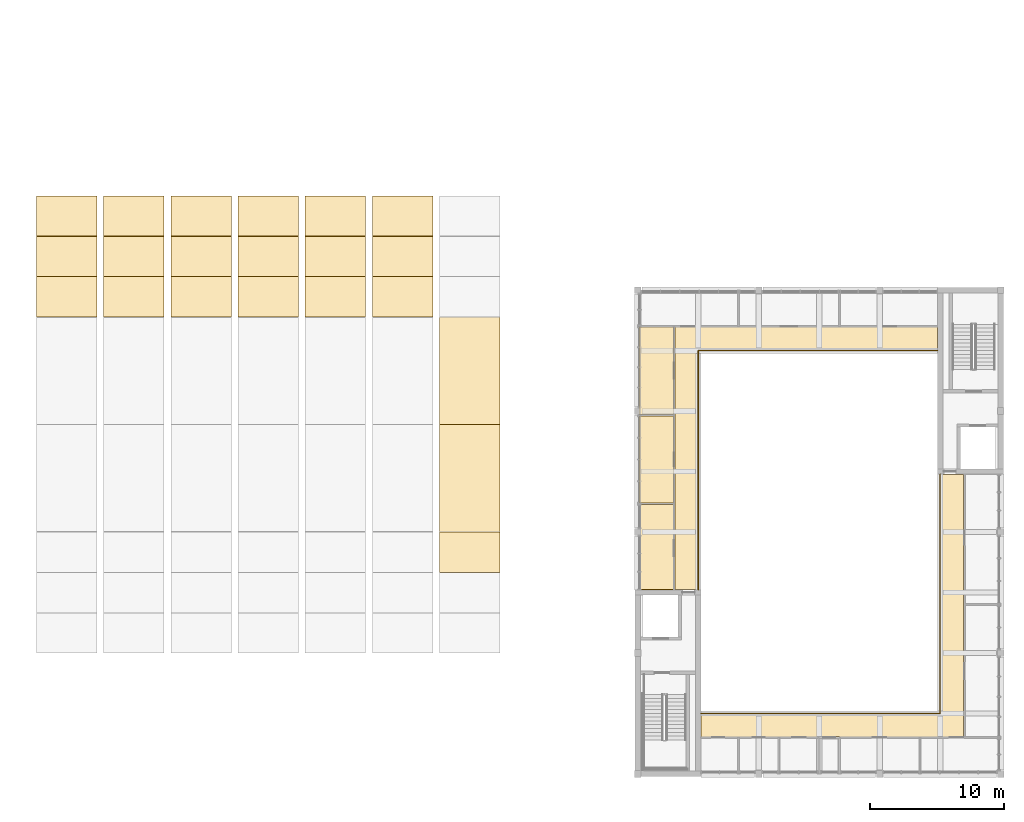
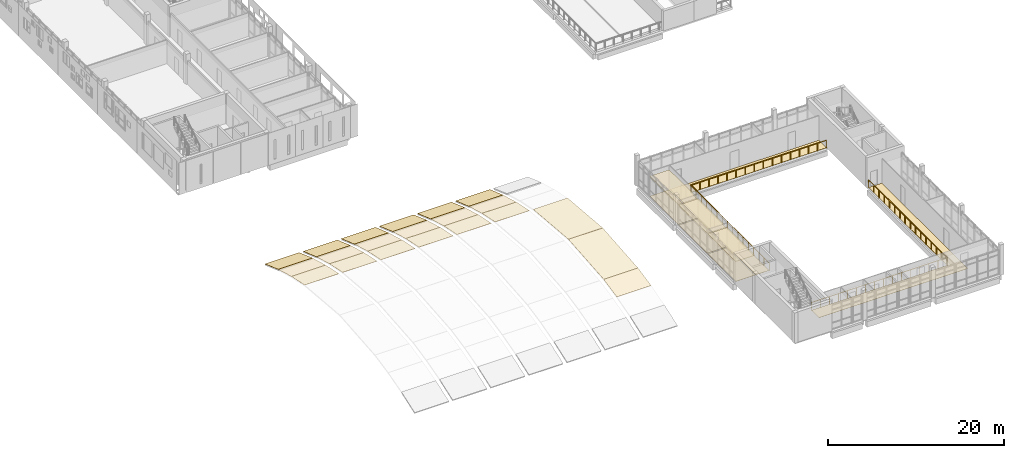
# One storey, part 59 of 74: 29 coverings, 2 railings.
"""IFC4 building model written with IfcOpenShell, lengths in metres."""

import ifcopenshell
import ifcopenshell.guid

model = None  # the IFC model being written
_history = None  # IfcOwnerHistory: only IFC2X3 demands one
_inside = {}  # id of a spatial element -> (the spatial element, [elements in it])
_under = {}  # id of a project, library or spatial element -> (it, [spatial elements below it])
_declared = {}  # id of a project -> (the project, [libraries it declares])
_typed = {}  # id of a type object -> (the type object, [elements of that type])
_made_of = {}  # id of a material, layer set ... -> (it, [elements and type objects made of it])


def new_model(schema):
    """Start an empty IFC model of exactly this schema.

    Asked for "IFC4X3", IfcOpenShell would pick the latest addendum, in which some entities
    have other attributes; the version numbers below select the first issue.
    IFC2X3 requires an IfcOwnerHistory on every rooted entity: one is made here for all.
    """
    global model, _history
    if schema == "IFC4X3":
        model = ifcopenshell.file(schema_version=(4, 3, 0, 0))
    else:
        model = ifcopenshell.file(schema=schema)
    _inside.clear()
    _under.clear()
    _declared.clear()
    _typed.clear()
    _made_of.clear()
    _history = None
    if model.schema == "IFC2X3":
        org = make("IfcOrganization", Name="unknown")
        user = make(
            "IfcPersonAndOrganization",
            ThePerson=make("IfcPerson", FamilyName="unknown"),
            TheOrganization=org,
        )
        app = make(
            "IfcApplication",
            ApplicationDeveloper=org,
            Version="unknown",
            ApplicationFullName="unknown",
            ApplicationIdentifier="unknown",
        )
        _history = make(
            "IfcOwnerHistory",
            OwningUser=user,
            OwningApplication=app,
            ChangeAction="ADDED",
            CreationDate=0,
        )
    return model


def make(cls, **values):
    """One entity of the class cls with the attributes given. An attribute that is None is left unset."""
    return model.create_entity(
        cls, **{name: value for name, value in values.items() if value is not None}
    )


def rooted(cls, **values):
    """An entity with a GlobalId (a new one), such as an element, a storey or a relation."""
    return make(cls, GlobalId=ifcopenshell.guid.new(), OwnerHistory=_history, **values)


def si_unit(unit_type, name, prefix=None):
    """IfcSIUnit, for example si_unit("LENGTHUNIT", "METRE", prefix="MILLI")."""
    return make("IfcSIUnit", UnitType=unit_type, Prefix=prefix, Name=name)


def assignment(units):
    """IfcUnitAssignment: the units of a project."""
    return None if units is None else make("IfcUnitAssignment", Units=units)


def point(xyz):
    """IfcCartesianPoint."""
    return None if xyz is None else make("IfcCartesianPoint", Coordinates=xyz)


def direction(xyz):
    """IfcDirection."""
    return None if xyz is None else make("IfcDirection", DirectionRatios=xyz)


def frame(location, z_axis=None, x_axis=None):
    """IfcAxis2Placement3D, a coordinate frame: its origin and axes. An axis left out is left unset."""
    return make(
        "IfcAxis2Placement3D",
        Location=point(location),
        Axis=direction(z_axis),
        RefDirection=direction(x_axis),
    )


def frame_2d(location, x_axis=None):
    """IfcAxis2Placement2D, a coordinate frame in the plane: its origin and x axis."""
    return make(
        "IfcAxis2Placement2D", Location=point(location), RefDirection=direction(x_axis)
    )


def origin():
    """The frame at (0, 0, 0) with its axes left unset."""
    return frame((0.0, 0.0, 0.0))


def origin_2d():
    """The frame at (0, 0) in the plane with its x axis left unset."""
    return frame_2d((0.0, 0.0))


def place(relative_to, where):
    """IfcLocalPlacement: puts the frame where relative to a parent placement (None: the world)."""
    return make(
        "IfcLocalPlacement", PlacementRelTo=relative_to, RelativePlacement=where
    )


def context(
    kind, dimensions, precision=None, world=None, true_north=None, identifier=None
):
    """IfcGeometricRepresentationContext, for example the 3D "Model" context."""
    return make(
        "IfcGeometricRepresentationContext",
        ContextIdentifier=identifier,
        ContextType=kind,
        CoordinateSpaceDimension=dimensions,
        Precision=precision,
        WorldCoordinateSystem=world,
        TrueNorth=true_north,
    )


def subcontext(parent, identifier, kind, view, scale=None):
    """IfcGeometricRepresentationSubContext, for example "Body" below "Model"."""
    return make(
        "IfcGeometricRepresentationSubContext",
        ContextIdentifier=identifier,
        ContextType=kind,
        ParentContext=parent,
        TargetScale=scale,
        TargetView=view,
    )


def project(units=None, contexts=None):
    """IfcProject with its units and contexts."""
    return rooted(
        "IfcProject",
        Name="project",
        RepresentationContexts=contexts,
        UnitsInContext=assignment(units),
    )


def spatial(cls, under=None, at=None, **own):
    """A site, building, storey or space (cls), placed at a placement, below another one or the project."""
    s = rooted(cls, ObjectPlacement=at, **own)
    if under is not None:
        _under.setdefault(under.id(), (under, []))[1].append(s)
    return s


def polyline(points):
    """IfcPolyline through the points."""
    return make("IfcPolyline", Points=[point(p) for p in points])


def profile(cls, at=None, kind="AREA", **sizes):
    """A parametric profile (cls). Its sizes go by their IFC names, for example OverallWidth=200.0."""
    return make(cls, ProfileType=kind, Position=at, **sizes)


def circle(**sizes):
    """IfcCircleProfileDef."""
    return profile("IfcCircleProfileDef", **sizes)


def outline(outer, holes=None, kind="AREA"):
    """IfcArbitraryClosedProfileDef: a profile drawn as a closed curve; with holes, ...WithVoids."""
    if holes is None:
        return make("IfcArbitraryClosedProfileDef", ProfileType=kind, OuterCurve=outer)
    return make(
        "IfcArbitraryProfileDefWithVoids",
        ProfileType=kind,
        OuterCurve=outer,
        InnerCurves=holes,
    )


def extrude(swept, where, along, depth):
    """IfcExtrudedAreaSolid: the profile swept, set in the frame where, extruded along a direction by depth."""
    return make(
        "IfcExtrudedAreaSolid",
        SweptArea=swept,
        Position=where,
        ExtrudedDirection=direction(along),
        Depth=depth,
    )


def shape(context_of_items, identifier, shape_type, items):
    """IfcShapeRepresentation: the items that make up one representation, for example the "Body"."""
    return make(
        "IfcShapeRepresentation",
        ContextOfItems=context_of_items,
        RepresentationIdentifier=identifier,
        RepresentationType=shape_type,
        Items=items,
    )


def material(Name=None, Category=None):
    """IfcMaterial."""
    return make("IfcMaterial", Name=Name, Category=Category)


def layer(
    of_material, thickness, ventilated=None, Name=None, Category=None, Priority=None
):
    """IfcMaterialLayer: one layer of a wall or slab, of a material (None: an air gap)."""
    return make(
        "IfcMaterialLayer",
        Material=of_material,
        LayerThickness=thickness,
        IsVentilated=ventilated,
        Name=Name,
        Category=Category,
        Priority=Priority,
    )


def layer_set(layers, Name=None):
    """IfcMaterialLayerSet."""
    return make("IfcMaterialLayerSet", MaterialLayers=layers, LayerSetName=Name)


def made_of(thing, what):
    """Note that an element or type object is made of a material, layer set ...; save() writes the relation."""
    if what is not None:
        _made_of.setdefault(what.id(), (what, []))[1].append(thing)
    return thing


def type_object(cls, material=None, **own):
    """A type object (cls), such as IfcWallType, which elements share."""
    return made_of(rooted(cls, **own), material)


def element(
    cls,
    number,
    at=None,
    inside=None,
    cuts=None,
    type_object=None,
    material=None,
    context=None,
    identifier="Body",
    shape_type=None,
    held_by="IfcProductDefinitionShape",
    body=None,
    shapes=None,
    **own,
):
    """One element of the class cls, such as IfcWall. Its Tag is "e" and its number.

    at: its placement. inside: the storey or other place that contains it. cuts: it is an
    opening in that element (IfcRelVoidsElement). A single representation is given by context,
    identifier, shape_type and body (its items); several are given by shapes. held_by: the class
    of the entity that holds the representations. save() writes the other relations.
    """
    e = rooted(cls, Tag="e%d" % number, ObjectPlacement=at, **own)
    if body is not None:
        shapes = [shape(context, identifier, shape_type, body)]
    if shapes is not None:
        e.Representation = make(held_by, Representations=shapes)
    if inside is not None:
        _inside.setdefault(inside.id(), (inside, []))[1].append(e)
    if cuts is not None:
        rooted(
            "IfcRelVoidsElement", RelatingBuildingElement=cuts, RelatedOpeningElement=e
        )
    if type_object is not None:
        _typed.setdefault(type_object.id(), (type_object, []))[1].append(e)
    return made_of(e, material)


def aggregate(whole, parts):
    """IfcRelAggregates: a whole, such as a stair, and the parts it consists of."""
    return rooted("IfcRelAggregates", RelatingObject=whole, RelatedObjects=parts)


def save(model, path):
    """Write the relations noted so far, then the file.

    IfcRelAggregates (storeys below a building ...), IfcRelContainedInSpatialStructure (elements
    in a storey), IfcRelDefinesByType, IfcRelAssociatesMaterial and IfcRelDeclares: one each for
    every whole, place, type object, material and project.
    """
    for whole, parts in _under.values():
        aggregate(whole, parts)
    for where, things in _inside.values():
        rooted(
            "IfcRelContainedInSpatialStructure",
            RelatedElements=things,
            RelatingStructure=where,
        )
    for kind, things in _typed.values():
        rooted("IfcRelDefinesByType", RelatedObjects=things, RelatingType=kind)
    for what, things in _made_of.values():
        rooted("IfcRelAssociatesMaterial", RelatedObjects=things, RelatingMaterial=what)
    for by, libraries in _declared.values():
        rooted("IfcRelDeclares", RelatingContext=by, RelatedDefinitions=libraries)
    model.write(path)


model = new_model("IFC4")

# Units and contexts
model_context = context("Model", 3, precision=1e-05, world=origin(), true_north=direction((0.0, 1.0)))
body_context = subcontext(model_context, "Body", "Model", "MODEL_VIEW")
ifc_project = project(units=[si_unit("LENGTHUNIT", "METRE"), si_unit("AREAUNIT", "SQUARE_METRE"), si_unit("VOLUMEUNIT", "CUBIC_METRE"), si_unit("PLANEANGLEUNIT", "RADIAN"), si_unit("MASSUNIT", "GRAM", prefix="KILO")], contexts=[model_context])

# Site, building, storey
site_placement = place(None, origin())
site = spatial("IfcSite", under=ifc_project, at=site_placement, CompositionType="ELEMENT")
building_placement = place(site_placement, origin())
building = spatial("IfcBuilding", under=site, at=building_placement, Name="Merrow Basin Faculty of Sciences", CompositionType="ELEMENT")
storey_placement = place(building_placement, frame((0.0, 0.0, 13.5)))
storey = spatial("IfcBuildingStorey", under=building, at=storey_placement, Name="L03", CompositionType="ELEMENT", Elevation=13.5)

# Coverings
ifc_material_1 = material(Name="Carpet tile floor")
ifc_layer_1 = layer(ifc_material_1, 0.02001953125)
ifc_layer_set_1 = layer_set([ifc_layer_1], Name="Carpet tile floor")
covering_type_1 = type_object("IfcCoveringType", Name="Carpet tile floor", PredefinedType="FLOORING", material=ifc_layer_set_1)
covering_1_placement = place(storey_placement, origin())
element("IfcCovering", 1, at=covering_1_placement, inside=storey, type_object=covering_type_1, Name="Floor finish L03-A-018", PredefinedType="FLOORING", context=body_context, shape_type="SweptSolid", body=[
    extrude(outline(polyline([(45.110107421875, 20.0400390625), (47.639892578125, 20.0400390625), (47.639892578125, 13.7099609375), (45.110107421875, 13.7099609375), (45.110107421875, 20.0400390625)])), origin(), (0.0, 0.0, 1.0), 0.02001953125),
])
covering_2_placement = place(storey_placement, origin())
element("IfcCovering", 2, at=covering_2_placement, inside=storey, type_object=covering_type_1, Name="Floor finish L03-A-019", PredefinedType="FLOORING", context=body_context, shape_type="SweptSolid", body=[
    extrude(outline(polyline([(47.639892578125, 26.639892578125), (47.639892578125, 20.159912109375), (45.110107421875, 20.159912109375), (45.110107421875, 26.639892578125), (47.639892578125, 26.639892578125)])), origin(), (0.0, 0.0, 1.0), 0.02001953125),
])
covering_3_placement = place(storey_placement, origin())
element("IfcCovering", 3, at=covering_3_placement, inside=storey, type_object=covering_type_1, Name="Floor finish L03-A-020", PredefinedType="FLOORING", context=body_context, shape_type="SweptSolid", body=[
    extrude(outline(polyline([(47.639892578125, 26.760009765625), (45.110107421875, 26.760009765625), (45.110107421875, 33.239990234375), (47.639892578125, 33.239990234375), (47.639892578125, 26.760009765625)])), origin(), (0.0, 0.0, 1.0), 0.02001953125),
])
covering_4_placement = place(storey_placement, origin())
element("IfcCovering", 4, at=covering_4_placement, inside=storey, type_object=covering_type_1, Name="Floor finish L03-A-021", PredefinedType="FLOORING", context=body_context, shape_type="SweptSolid", body=[
    extrude(outline(polyline([(49.489990234375, 31.510009765625), (49.489990234375, 13.7099609375), (47.760009765625, 13.7099609375), (47.760009765625, 33.239990234375), (67.2900390625, 33.239990234375), (67.2900390625, 31.510009765625), (49.489990234375, 31.510009765625)])), origin(), (0.0, 0.0, 1.0), 0.02001953125),
])
covering_5_placement = place(storey_placement, origin())
element("IfcCovering", 5, at=covering_5_placement, inside=storey, type_object=covering_type_1, Name="Floor finish L03-A-022", PredefinedType="FLOORING", context=body_context, shape_type="SweptSolid", body=[
    extrude(outline(polyline([(67.510009765625, 4.489990234375), (67.510009765625, 22.2900390625), (69.239990234375, 22.2900390625), (69.239990234375, 2.760009765625), (60.010009765625, 2.760009765625), (60.010009765625, 2.784912109375), (58.489990234375, 2.784912109375), (58.489990234375, 2.760009765625), (49.7099609375, 2.760009765625), (49.7099609375, 4.489990234375), (67.510009765625, 4.489990234375)])), origin(), (0.0, 0.0, 1.0), 0.02001953125),
])
ifc_material_2 = material(Name="Bituminous roofing membrane")
ifc_layer_2 = layer(ifc_material_2, 0.030029296875)
ifc_layer_set_2 = layer_set([ifc_layer_2], Name="Shell waterproofing 30")
covering_type_2 = type_object("IfcCoveringType", Name="Shell waterproofing 30", PredefinedType="ROOFING", material=ifc_layer_set_2)
covering_6_placement = place(storey_placement, frame((0.25, 34.006103515625, 2.930908203125), z_axis=(0.0, 0.204870252821, 0.978789139452), x_axis=(1.0, 0.0, 0.0)))
element("IfcCovering", 6, at=covering_6_placement, inside=storey, type_object=covering_type_2, Name="Shell waterproofing", PredefinedType="ROOFING", context=body_context, shape_type="SweptSolid", body=[
    extrude(outline(polyline([(0.0, 0.0), (4.5, 0.0), (4.5, 3.065011532187741), (0.0, 3.065011532187741), (0.0, 0.0)])), origin(), (0.0, 0.0, -1.0), 0.030029296875),
])
covering_7_placement = place(storey_placement, frame((0.25, 37.008056640625, 2.302001953125), z_axis=(0.0, 0.269365379975, 0.963038053283), x_axis=(1.0, 0.0, 0.0)))
element("IfcCovering", 7, at=covering_7_placement, inside=storey, type_object=covering_type_2, Name="Shell waterproofing", PredefinedType="ROOFING", context=body_context, shape_type="SweptSolid", body=[
    extrude(outline(polyline([(0.0, 0.0), (4.5, 0.0), (4.5, 3.115141701590427), (0.0, 3.115141701590427), (0.0, 0.0)])), origin(), (0.0, 0.0, -1.0), 0.030029296875),
])
covering_8_placement = place(storey_placement, frame((0.25, 40.010009765625, 1.4619140625), z_axis=(0.0, 0.334256016582, 0.942482315685), x_axis=(1.0, 0.0, 0.0)))
element("IfcCovering", 8, at=covering_8_placement, inside=storey, type_object=covering_type_2, Name="Shell waterproofing", PredefinedType="ROOFING", context=body_context, shape_type="SweptSolid", body=[
    extrude(outline(polyline([(0.0, 0.0), (4.5, 0.0), (4.5, 3.183083597509805), (0.0, 3.183083597509805), (0.0, 0.0)])), origin(), (0.0, 0.0, -1.0), 0.030029296875),
])
covering_9_placement = place(storey_placement, frame((5.25, 34.006103515625, 2.930908203125), z_axis=(0.0, 0.204870252821, 0.978789139452), x_axis=(1.0, 0.0, 0.0)))
element("IfcCovering", 9, at=covering_9_placement, inside=storey, type_object=covering_type_2, Name="Shell waterproofing", PredefinedType="ROOFING", context=body_context, shape_type="SweptSolid", body=[
    extrude(outline(polyline([(0.0, 0.0), (4.5, 0.0), (4.5, 3.065011532187741), (0.0, 3.065011532187741), (0.0, 0.0)])), origin(), (0.0, 0.0, -1.0), 0.030029296875),
])
covering_10_placement = place(storey_placement, frame((5.25, 37.008056640625, 2.302001953125), z_axis=(0.0, 0.269365379975, 0.963038053283), x_axis=(1.0, 0.0, 0.0)))
element("IfcCovering", 10, at=covering_10_placement, inside=storey, type_object=covering_type_2, Name="Shell waterproofing", PredefinedType="ROOFING", context=body_context, shape_type="SweptSolid", body=[
    extrude(outline(polyline([(0.0, 0.0), (4.5, 0.0), (4.5, 3.115141701590427), (0.0, 3.115141701590427), (0.0, 0.0)])), origin(), (0.0, 0.0, -1.0), 0.030029296875),
])
covering_11_placement = place(storey_placement, frame((5.25, 40.010009765625, 1.4619140625), z_axis=(0.0, 0.334256016582, 0.942482315685), x_axis=(1.0, 0.0, 0.0)))
element("IfcCovering", 11, at=covering_11_placement, inside=storey, type_object=covering_type_2, Name="Shell waterproofing", PredefinedType="ROOFING", context=body_context, shape_type="SweptSolid", body=[
    extrude(outline(polyline([(0.0, 0.0), (4.5, 0.0), (4.5, 3.183083597509805), (0.0, 3.183083597509805), (0.0, 0.0)])), origin(), (0.0, 0.0, -1.0), 0.030029296875),
])
covering_12_placement = place(storey_placement, frame((10.25, 34.006103515625, 2.930908203125), z_axis=(0.0, 0.204870252821, 0.978789139452), x_axis=(1.0, 0.0, 0.0)))
element("IfcCovering", 12, at=covering_12_placement, inside=storey, type_object=covering_type_2, Name="Shell waterproofing", PredefinedType="ROOFING", context=body_context, shape_type="SweptSolid", body=[
    extrude(outline(polyline([(0.0, 0.0), (4.5, 0.0), (4.5, 3.065011532187741), (0.0, 3.065011532187741), (0.0, 0.0)])), origin(), (0.0, 0.0, -1.0), 0.030029296875),
])
covering_13_placement = place(storey_placement, frame((10.25, 37.008056640625, 2.302001953125), z_axis=(0.0, 0.269365379975, 0.963038053283), x_axis=(1.0, 0.0, 0.0)))
element("IfcCovering", 13, at=covering_13_placement, inside=storey, type_object=covering_type_2, Name="Shell waterproofing", PredefinedType="ROOFING", context=body_context, shape_type="SweptSolid", body=[
    extrude(outline(polyline([(0.0, 0.0), (4.5, 0.0), (4.5, 3.115141701590427), (0.0, 3.115141701590427), (0.0, 0.0)])), origin(), (0.0, 0.0, -1.0), 0.030029296875),
])
covering_14_placement = place(storey_placement, frame((10.25, 40.010009765625, 1.4619140625), z_axis=(0.0, 0.334256016582, 0.942482315685), x_axis=(1.0, 0.0, 0.0)))
element("IfcCovering", 14, at=covering_14_placement, inside=storey, type_object=covering_type_2, Name="Shell waterproofing", PredefinedType="ROOFING", context=body_context, shape_type="SweptSolid", body=[
    extrude(outline(polyline([(0.0, 0.0), (4.5, 0.0), (4.5, 3.183083597509805), (0.0, 3.183083597509805), (0.0, 0.0)])), origin(), (0.0, 0.0, -1.0), 0.030029296875),
])
covering_15_placement = place(storey_placement, frame((15.25, 34.006103515625, 2.930908203125), z_axis=(0.0, 0.204870252821, 0.978789139452), x_axis=(1.0, 0.0, 0.0)))
element("IfcCovering", 15, at=covering_15_placement, inside=storey, type_object=covering_type_2, Name="Shell waterproofing", PredefinedType="ROOFING", context=body_context, shape_type="SweptSolid", body=[
    extrude(outline(polyline([(0.0, 0.0), (4.5, 0.0), (4.5, 3.065011532187741), (0.0, 3.065011532187741), (0.0, 0.0)])), origin(), (0.0, 0.0, -1.0), 0.030029296875),
])
covering_16_placement = place(storey_placement, frame((15.25, 37.008056640625, 2.302001953125), z_axis=(0.0, 0.269365379975, 0.963038053283), x_axis=(1.0, 0.0, 0.0)))
element("IfcCovering", 16, at=covering_16_placement, inside=storey, type_object=covering_type_2, Name="Shell waterproofing", PredefinedType="ROOFING", context=body_context, shape_type="SweptSolid", body=[
    extrude(outline(polyline([(0.0, 0.0), (4.5, 0.0), (4.5, 3.115141701590427), (0.0, 3.115141701590427), (0.0, 0.0)])), origin(), (0.0, 0.0, -1.0), 0.030029296875),
])
covering_17_placement = place(storey_placement, frame((15.25, 40.010009765625, 1.4619140625), z_axis=(0.0, 0.334256016582, 0.942482315685), x_axis=(1.0, 0.0, 0.0)))
element("IfcCovering", 17, at=covering_17_placement, inside=storey, type_object=covering_type_2, Name="Shell waterproofing", PredefinedType="ROOFING", context=body_context, shape_type="SweptSolid", body=[
    extrude(outline(polyline([(0.0, 0.0), (4.5, 0.0), (4.5, 3.183083597509805), (0.0, 3.183083597509805), (0.0, 0.0)])), origin(), (0.0, 0.0, -1.0), 0.030029296875),
])
covering_18_placement = place(storey_placement, frame((20.25, 34.006103515625, 2.930908203125), z_axis=(0.0, 0.204870252821, 0.978789139452), x_axis=(1.0, 0.0, 0.0)))
element("IfcCovering", 18, at=covering_18_placement, inside=storey, type_object=covering_type_2, Name="Shell waterproofing", PredefinedType="ROOFING", context=body_context, shape_type="SweptSolid", body=[
    extrude(outline(polyline([(0.0, 0.0), (4.5, 0.0), (4.5, 3.065011532187741), (0.0, 3.065011532187741), (0.0, 0.0)])), origin(), (0.0, 0.0, -1.0), 0.030029296875),
])
covering_19_placement = place(storey_placement, frame((20.25, 37.008056640625, 2.302001953125), z_axis=(0.0, 0.269365379975, 0.963038053283), x_axis=(1.0, 0.0, 0.0)))
element("IfcCovering", 19, at=covering_19_placement, inside=storey, type_object=covering_type_2, Name="Shell waterproofing", PredefinedType="ROOFING", context=body_context, shape_type="SweptSolid", body=[
    extrude(outline(polyline([(0.0, 0.0), (4.5, 0.0), (4.5, 3.115141701590427), (0.0, 3.115141701590427), (0.0, 0.0)])), origin(), (0.0, 0.0, -1.0), 0.030029296875),
])
covering_20_placement = place(storey_placement, frame((20.25, 40.010009765625, 1.4619140625), z_axis=(0.0, 0.334256016582, 0.942482315685), x_axis=(1.0, 0.0, 0.0)))
element("IfcCovering", 20, at=covering_20_placement, inside=storey, type_object=covering_type_2, Name="Shell waterproofing", PredefinedType="ROOFING", context=body_context, shape_type="SweptSolid", body=[
    extrude(outline(polyline([(0.0, 0.0), (4.5, 0.0), (4.5, 3.183083597509805), (0.0, 3.183083597509805), (0.0, 0.0)])), origin(), (0.0, 0.0, -1.0), 0.030029296875),
])
covering_21_placement = place(storey_placement, frame((25.25, 34.006103515625, 2.930908203125), z_axis=(0.0, 0.204870252821, 0.978789139452), x_axis=(1.0, 0.0, 0.0)))
element("IfcCovering", 21, at=covering_21_placement, inside=storey, type_object=covering_type_2, Name="Shell waterproofing", PredefinedType="ROOFING", context=body_context, shape_type="SweptSolid", body=[
    extrude(outline(polyline([(0.0, 0.0), (4.5, 0.0), (4.5, 3.065011532187741), (0.0, 3.065011532187741), (0.0, 0.0)])), origin(), (0.0, 0.0, -1.0), 0.030029296875),
])
covering_22_placement = place(storey_placement, frame((25.25, 37.008056640625, 2.302001953125), z_axis=(0.0, 0.269365379975, 0.963038053283), x_axis=(1.0, 0.0, 0.0)))
element("IfcCovering", 22, at=covering_22_placement, inside=storey, type_object=covering_type_2, Name="Shell waterproofing", PredefinedType="ROOFING", context=body_context, shape_type="SweptSolid", body=[
    extrude(outline(polyline([(0.0, 0.0), (4.5, 0.0), (4.5, 3.115141701590427), (0.0, 3.115141701590427), (0.0, 0.0)])), origin(), (0.0, 0.0, -1.0), 0.030029296875),
])
covering_23_placement = place(storey_placement, frame((25.25, 40.010009765625, 1.4619140625), z_axis=(0.0, 0.334256016582, 0.942482315685), x_axis=(1.0, 0.0, 0.0)))
element("IfcCovering", 23, at=covering_23_placement, inside=storey, type_object=covering_type_2, Name="Shell waterproofing", PredefinedType="ROOFING", context=body_context, shape_type="SweptSolid", body=[
    extrude(outline(polyline([(0.0, 0.0), (4.5, 0.0), (4.5, 3.183083597509805), (0.0, 3.183083597509805), (0.0, 0.0)])), origin(), (0.0, 0.0, -1.0), 0.030029296875),
])
covering_24_placement = place(storey_placement, frame((30.25, 14.993896484375, 2.302978515625), z_axis=(0.0, -0.204870252821, 0.978789139452), x_axis=(1.0, 0.0, 0.0)))
element("IfcCovering", 24, at=covering_24_placement, inside=storey, type_object=covering_type_2, Name="Shell waterproofing", PredefinedType="ROOFING", context=body_context, shape_type="SweptSolid", body=[
    extrude(outline(polyline([(0.0, 0.0), (4.5, 0.0), (4.5, 3.065011532187741), (0.0, 3.065011532187741), (0.0, 0.0)])), origin(), (0.0, 0.0, -1.0), 0.030029296875),
])
for number, where, z_axis, x_axis, name in (
    (25, (30.25, 17.9970703125, 2.930908203125), (0.0, -0.086557458826, 0.996246860131), (1.0, 0.0, 0.0), "Shell waterproofing"),
    (26, (30.25, 26.0029296875, 3.6259765625), (0.0, 0.086557458826, 0.996246860131), (1.0, 0.0, 0.0), "Shell waterproofing"),
):
    element("IfcCovering", number, at=place(storey_placement, frame(where, z_axis=z_axis, x_axis=x_axis)), inside=storey, type_object=covering_type_2, Name=name, PredefinedType="ROOFING", context=body_context, shape_type="SweptSolid", body=[
        extrude(outline(polyline([(0.0, 0.0), (4.5, 0.0), (4.5, 8.030138231948703), (0.0, 8.030138231948703), (0.0, 0.0)])), origin(), (0.0, 0.0, -1.0), 0.030029296875),
    ])

# Railings
ifc_material_3 = material(Name="Steel ASTM A36", Category="steel")
railing_type = type_object("IfcRailingType", Name="Steel guard 1100", PredefinedType="GUARDRAIL", material=ifc_material_3)
railing_1_placement = place(storey_placement, frame((49.5, 13.699951171875, 0.0)))
element("IfcRailing", 27, at=railing_1_placement, inside=storey, type_object=railing_type, Name="Gallery guard L03", PredefinedType="GUARDRAIL", context=body_context, shape_type="SweptSolid", body=[
    extrude(circle(Radius=0.02392578125, at=origin_2d()), frame((0.0, 0.0, 1.076171875), z_axis=(0.0, 1.0, 0.0), x_axis=(-1.0, 0.0, 0.0)), (0.0, 0.0, 1.0), 17.800048828125),
    extrude(circle(Radius=0.02392578125, at=origin_2d()), frame((0.0, 17.800048828125, 1.076171875), z_axis=(1.0, 0.0, 0.0), x_axis=(0.0, 1.0, 0.0)), (0.0, 0.0, 1.0), 17.800048828125),
    extrude(circle(Radius=0.02099609375, at=origin_2d()), origin(), (0.0, 0.0, 1.0), 1.052001953125),
    extrude(circle(Radius=0.02099609375, at=origin_2d()), frame((0.0, 1.186767578125, 0.0)), (0.0, 0.0, 1.0), 1.052001953125),
    extrude(circle(Radius=0.02099609375, at=origin_2d()), frame((0.0, 2.373291015625, 0.0)), (0.0, 0.0, 1.0), 1.052001953125),
    extrude(circle(Radius=0.02099609375, at=origin_2d()), frame((0.0, 3.56005859375, 0.0)), (0.0, 0.0, 1.0), 1.052001953125),
    extrude(circle(Radius=0.02099609375, at=origin_2d()), frame((0.0, 4.74658203125, 0.0)), (0.0, 0.0, 1.0), 1.052001953125),
    extrude(circle(Radius=0.02099609375, at=origin_2d()), frame((0.0, 5.933349609375, 0.0)), (0.0, 0.0, 1.0), 1.052001953125),
    extrude(circle(Radius=0.02099609375, at=origin_2d()), frame((0.0, 7.1201171875, 0.0)), (0.0, 0.0, 1.0), 1.052001953125),
    extrude(circle(Radius=0.02099609375, at=origin_2d()), frame((0.0, 8.306640625, 0.0)), (0.0, 0.0, 1.0), 1.052001953125),
    extrude(circle(Radius=0.02099609375, at=origin_2d()), frame((0.0, 9.493408203125, 0.0)), (0.0, 0.0, 1.0), 1.052001953125),
    extrude(circle(Radius=0.02099609375, at=origin_2d()), frame((0.0, 10.679931640625, 0.0)), (0.0, 0.0, 1.0), 1.052001953125),
    extrude(circle(Radius=0.02099609375, at=origin_2d()), frame((0.0, 11.86669921875, 0.0)), (0.0, 0.0, 1.0), 1.052001953125),
    extrude(circle(Radius=0.02099609375, at=origin_2d()), frame((0.0, 13.053466796875, 0.0)), (0.0, 0.0, 1.0), 1.052001953125),
    extrude(circle(Radius=0.02099609375, at=origin_2d()), frame((0.0, 14.239990234375, 0.0)), (0.0, 0.0, 1.0), 1.052001953125),
    extrude(circle(Radius=0.02099609375, at=origin_2d()), frame((0.0, 15.4267578125, 0.0)), (0.0, 0.0, 1.0), 1.052001953125),
    extrude(circle(Radius=0.02099609375, at=origin_2d()), frame((0.0, 16.61328125, 0.0)), (0.0, 0.0, 1.0), 1.052001953125),
    extrude(circle(Radius=0.02099609375, at=origin_2d()), frame((0.0, 17.800048828125, 0.0)), (0.0, 0.0, 1.0), 1.052001953125),
    extrude(circle(Radius=0.02099609375, at=origin_2d()), frame((1.186767578125, 17.800048828125, 0.0)), (0.0, 0.0, 1.0), 1.052001953125),
    extrude(circle(Radius=0.02099609375, at=origin_2d()), frame((2.373291015625, 17.800048828125, 0.0)), (0.0, 0.0, 1.0), 1.052001953125),
    extrude(circle(Radius=0.02099609375, at=origin_2d()), frame((3.56005859375, 17.800048828125, 0.0)), (0.0, 0.0, 1.0), 1.052001953125),
    extrude(circle(Radius=0.02099609375, at=origin_2d()), frame((4.74658203125, 17.800048828125, 0.0)), (0.0, 0.0, 1.0), 1.052001953125),
    extrude(circle(Radius=0.02099609375, at=origin_2d()), frame((5.933349609375, 17.800048828125, 0.0)), (0.0, 0.0, 1.0), 1.052001953125),
    extrude(circle(Radius=0.02099609375, at=origin_2d()), frame((7.1201171875, 17.800048828125, 0.0)), (0.0, 0.0, 1.0), 1.052001953125),
    extrude(circle(Radius=0.02099609375, at=origin_2d()), frame((8.306640625, 17.800048828125, 0.0)), (0.0, 0.0, 1.0), 1.052001953125),
    extrude(circle(Radius=0.02099609375, at=origin_2d()), frame((9.493408203125, 17.800048828125, 0.0)), (0.0, 0.0, 1.0), 1.052001953125),
    extrude(circle(Radius=0.02099609375, at=origin_2d()), frame((10.679931640625, 17.800048828125, 0.0)), (0.0, 0.0, 1.0), 1.052001953125),
    extrude(circle(Radius=0.02099609375, at=origin_2d()), frame((11.86669921875, 17.800048828125, 0.0)), (0.0, 0.0, 1.0), 1.052001953125),
    extrude(circle(Radius=0.02099609375, at=origin_2d()), frame((13.053466796875, 17.800048828125, 0.0)), (0.0, 0.0, 1.0), 1.052001953125),
    extrude(circle(Radius=0.02099609375, at=origin_2d()), frame((14.239990234375, 17.800048828125, 0.0)), (0.0, 0.0, 1.0), 1.052001953125),
    extrude(circle(Radius=0.02099609375, at=origin_2d()), frame((15.4267578125, 17.800048828125, 0.0)), (0.0, 0.0, 1.0), 1.052001953125),
    extrude(circle(Radius=0.02099609375, at=origin_2d()), frame((16.61328125, 17.800048828125, 0.0)), (0.0, 0.0, 1.0), 1.052001953125),
    extrude(circle(Radius=0.02099609375, at=origin_2d()), frame((17.800048828125, 17.800048828125, 0.0)), (0.0, 0.0, 1.0), 1.052001953125),
])
railing_2_placement = place(storey_placement, frame((67.5, 22.300048828125, 0.0)))
element("IfcRailing", 28, at=railing_2_placement, inside=storey, type_object=railing_type, Name="Gallery guard L03", PredefinedType="GUARDRAIL", context=body_context, shape_type="SweptSolid", body=[
    extrude(circle(Radius=0.02392578125, at=origin_2d()), frame((0.0, 0.0, 1.076171875), z_axis=(0.0, -1.0, 0.0), x_axis=(1.0, 0.0, 0.0)), (0.0, 0.0, 1.0), 17.800048828125),
    extrude(circle(Radius=0.02392578125, at=origin_2d()), frame((0.0, -17.800048828125, 1.076171875), z_axis=(-1.0, 0.0, 0.0), x_axis=(0.0, -1.0, 0.0)), (0.0, 0.0, 1.0), 17.800048828125),
    extrude(circle(Radius=0.02099609375, at=origin_2d()), origin(), (0.0, 0.0, 1.0), 1.052001953125),
    extrude(circle(Radius=0.02099609375, at=origin_2d()), frame((0.0, -1.186767578125, 0.0)), (0.0, 0.0, 1.0), 1.052001953125),
    extrude(circle(Radius=0.02099609375, at=origin_2d()), frame((0.0, -2.373291015625, 0.0)), (0.0, 0.0, 1.0), 1.052001953125),
    extrude(circle(Radius=0.02099609375, at=origin_2d()), frame((0.0, -3.56005859375, 0.0)), (0.0, 0.0, 1.0), 1.052001953125),
    extrude(circle(Radius=0.02099609375, at=origin_2d()), frame((0.0, -4.74658203125, 0.0)), (0.0, 0.0, 1.0), 1.052001953125),
    extrude(circle(Radius=0.02099609375, at=origin_2d()), frame((0.0, -5.933349609375, 0.0)), (0.0, 0.0, 1.0), 1.052001953125),
    extrude(circle(Radius=0.02099609375, at=origin_2d()), frame((0.0, -7.1201171875, 0.0)), (0.0, 0.0, 1.0), 1.052001953125),
    extrude(circle(Radius=0.02099609375, at=origin_2d()), frame((0.0, -8.306640625, 0.0)), (0.0, 0.0, 1.0), 1.052001953125),
    extrude(circle(Radius=0.02099609375, at=origin_2d()), frame((0.0, -9.493408203125, 0.0)), (0.0, 0.0, 1.0), 1.052001953125),
    extrude(circle(Radius=0.02099609375, at=origin_2d()), frame((0.0, -10.679931640625, 0.0)), (0.0, 0.0, 1.0), 1.052001953125),
    extrude(circle(Radius=0.02099609375, at=origin_2d()), frame((0.0, -11.86669921875, 0.0)), (0.0, 0.0, 1.0), 1.052001953125),
    extrude(circle(Radius=0.02099609375, at=origin_2d()), frame((0.0, -13.053466796875, 0.0)), (0.0, 0.0, 1.0), 1.052001953125),
    extrude(circle(Radius=0.02099609375, at=origin_2d()), frame((0.0, -14.239990234375, 0.0)), (0.0, 0.0, 1.0), 1.052001953125),
    extrude(circle(Radius=0.02099609375, at=origin_2d()), frame((0.0, -15.4267578125, 0.0)), (0.0, 0.0, 1.0), 1.052001953125),
    extrude(circle(Radius=0.02099609375, at=origin_2d()), frame((0.0, -16.61328125, 0.0)), (0.0, 0.0, 1.0), 1.052001953125),
    extrude(circle(Radius=0.02099609375, at=origin_2d()), frame((0.0, -17.800048828125, 0.0)), (0.0, 0.0, 1.0), 1.052001953125),
    extrude(circle(Radius=0.02099609375, at=origin_2d()), frame((-1.186767578125, -17.800048828125, 0.0)), (0.0, 0.0, 1.0), 1.052001953125),
    extrude(circle(Radius=0.02099609375, at=origin_2d()), frame((-2.373291015625, -17.800048828125, 0.0)), (0.0, 0.0, 1.0), 1.052001953125),
    extrude(circle(Radius=0.02099609375, at=origin_2d()), frame((-3.56005859375, -17.800048828125, 0.0)), (0.0, 0.0, 1.0), 1.052001953125),
    extrude(circle(Radius=0.02099609375, at=origin_2d()), frame((-4.74658203125, -17.800048828125, 0.0)), (0.0, 0.0, 1.0), 1.052001953125),
    extrude(circle(Radius=0.02099609375, at=origin_2d()), frame((-5.933349609375, -17.800048828125, 0.0)), (0.0, 0.0, 1.0), 1.052001953125),
    extrude(circle(Radius=0.02099609375, at=origin_2d()), frame((-7.1201171875, -17.800048828125, 0.0)), (0.0, 0.0, 1.0), 1.052001953125),
    extrude(circle(Radius=0.02099609375, at=origin_2d()), frame((-8.306640625, -17.800048828125, 0.0)), (0.0, 0.0, 1.0), 1.052001953125),
    extrude(circle(Radius=0.02099609375, at=origin_2d()), frame((-9.493408203125, -17.800048828125, 0.0)), (0.0, 0.0, 1.0), 1.052001953125),
    extrude(circle(Radius=0.02099609375, at=origin_2d()), frame((-10.679931640625, -17.800048828125, 0.0)), (0.0, 0.0, 1.0), 1.052001953125),
    extrude(circle(Radius=0.02099609375, at=origin_2d()), frame((-11.86669921875, -17.800048828125, 0.0)), (0.0, 0.0, 1.0), 1.052001953125),
    extrude(circle(Radius=0.02099609375, at=origin_2d()), frame((-13.053466796875, -17.800048828125, 0.0)), (0.0, 0.0, 1.0), 1.052001953125),
    extrude(circle(Radius=0.02099609375, at=origin_2d()), frame((-14.239990234375, -17.800048828125, 0.0)), (0.0, 0.0, 1.0), 1.052001953125),
    extrude(circle(Radius=0.02099609375, at=origin_2d()), frame((-15.4267578125, -17.800048828125, 0.0)), (0.0, 0.0, 1.0), 1.052001953125),
    extrude(circle(Radius=0.02099609375, at=origin_2d()), frame((-16.61328125, -17.800048828125, 0.0)), (0.0, 0.0, 1.0), 1.052001953125),
    extrude(circle(Radius=0.02099609375, at=origin_2d()), frame((-17.800048828125, -17.800048828125, 0.0)), (0.0, 0.0, 1.0), 1.052001953125),
])

# Coverings
ifc_material_4 = material(Name="Mineral fibre ceiling tile")
ifc_layer_3 = layer(ifc_material_4, 0.050048828125)
ifc_layer_set_3 = layer_set([ifc_layer_3], Name="Suspended acoustic ceiling tile")
covering_type_3 = type_object("IfcCoveringType", Name="Suspended acoustic ceiling tile", PredefinedType="CEILING", material=ifc_layer_set_3)
covering_25_placement = place(storey_placement, frame((0.0, 0.0, 2.75)))
element("IfcCovering", 29, at=covering_25_placement, inside=storey, type_object=covering_type_3, Name="Ceiling L03-A-018", PredefinedType="CEILING", context=body_context, shape_type="SweptSolid", body=[
    extrude(outline(polyline([(45.10009765625, 20.050048828125), (47.64990234375, 20.050048828125), (47.64990234375, 13.699951171875), (45.10009765625, 13.699951171875), (45.10009765625, 20.050048828125)])), origin(), (0.0, 0.0, 1.0), 0.050048828125),
])
covering_26_placement = place(storey_placement, frame((0.0, 0.0, 2.75)))
element("IfcCovering", 30, at=covering_26_placement, inside=storey, type_object=covering_type_3, Name="Ceiling L03-A-019", PredefinedType="CEILING", context=body_context, shape_type="SweptSolid", body=[
    extrude(outline(polyline([(47.64990234375, 26.64990234375), (47.64990234375, 20.14990234375), (45.10009765625, 20.14990234375), (45.10009765625, 26.64990234375), (47.64990234375, 26.64990234375)])), origin(), (0.0, 0.0, 1.0), 0.050048828125),
])
covering_27_placement = place(storey_placement, frame((0.0, 0.0, 2.75)))
element("IfcCovering", 31, at=covering_27_placement, inside=storey, type_object=covering_type_3, Name="Ceiling L03-A-020", PredefinedType="CEILING", context=body_context, shape_type="SweptSolid", body=[
    extrude(outline(polyline([(47.64990234375, 26.75), (45.10009765625, 26.75), (45.10009765625, 33.25), (47.64990234375, 33.25), (47.64990234375, 26.75)])), origin(), (0.0, 0.0, 1.0), 0.050048828125),
])

save(model, "model.ifc")
